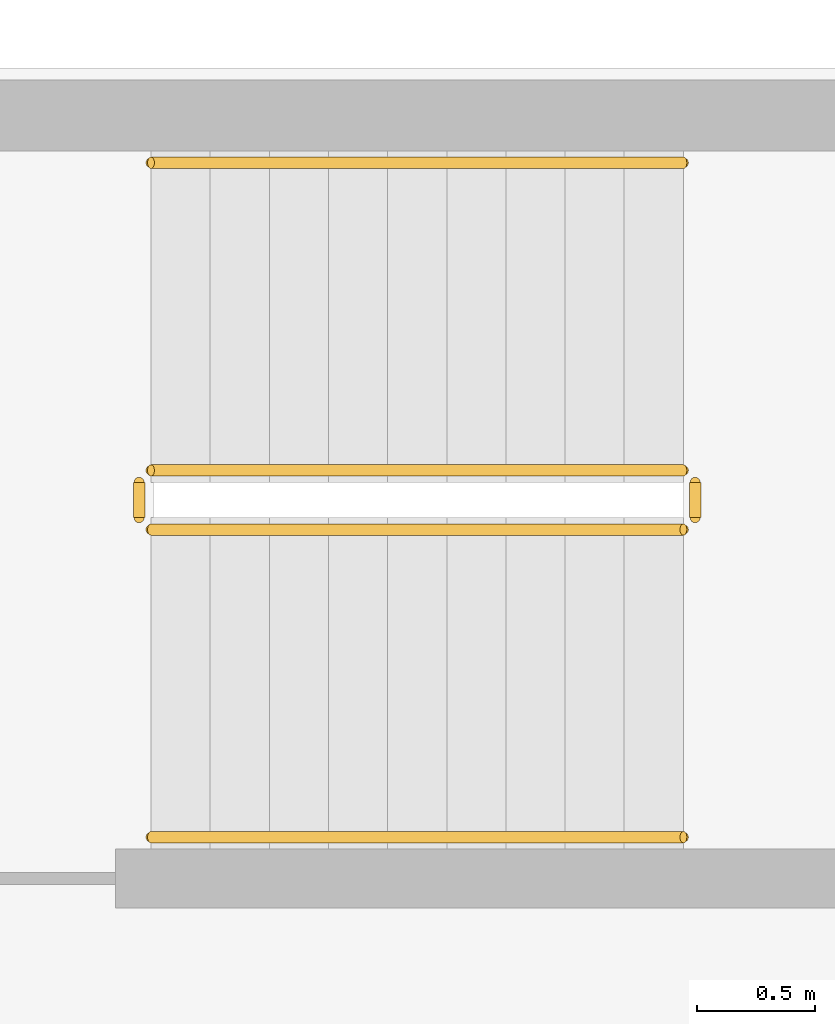
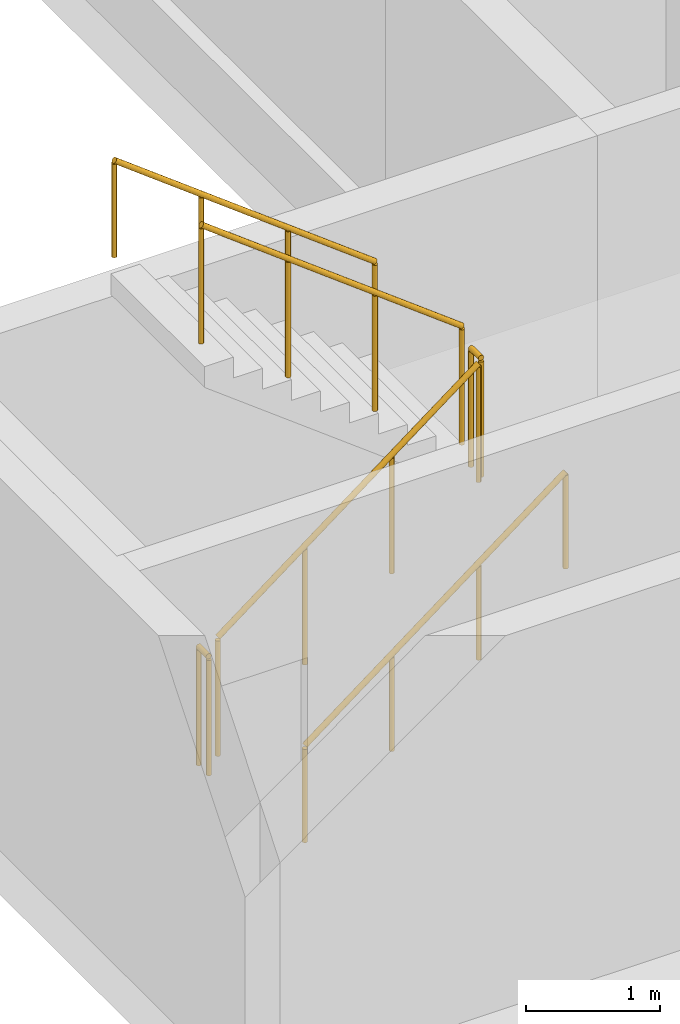
# One storey, part 11 of 11: 6 railings.
"""IFC4 building model written with IfcOpenShell, lengths in metres."""

import ifcopenshell
import ifcopenshell.guid

model = None  # the IFC model being written
_history = None  # IfcOwnerHistory: only IFC2X3 demands one
_inside = {}  # id of a spatial element -> (the spatial element, [elements in it])
_under = {}  # id of a project, library or spatial element -> (it, [spatial elements below it])
_declared = {}  # id of a project -> (the project, [libraries it declares])
_typed = {}  # id of a type object -> (the type object, [elements of that type])
_made_of = {}  # id of a material, layer set ... -> (it, [elements and type objects made of it])


def new_model(schema):
    """Start an empty IFC model of exactly this schema.

    Asked for "IFC4X3", IfcOpenShell would pick the latest addendum, in which some entities
    have other attributes; the version numbers below select the first issue.
    IFC2X3 requires an IfcOwnerHistory on every rooted entity: one is made here for all.
    """
    global model, _history
    if schema == "IFC4X3":
        model = ifcopenshell.file(schema_version=(4, 3, 0, 0))
    else:
        model = ifcopenshell.file(schema=schema)
    _inside.clear()
    _under.clear()
    _declared.clear()
    _typed.clear()
    _made_of.clear()
    _history = None
    if model.schema == "IFC2X3":
        org = make("IfcOrganization", Name="unknown")
        user = make(
            "IfcPersonAndOrganization",
            ThePerson=make("IfcPerson", FamilyName="unknown"),
            TheOrganization=org,
        )
        app = make(
            "IfcApplication",
            ApplicationDeveloper=org,
            Version="unknown",
            ApplicationFullName="unknown",
            ApplicationIdentifier="unknown",
        )
        _history = make(
            "IfcOwnerHistory",
            OwningUser=user,
            OwningApplication=app,
            ChangeAction="ADDED",
            CreationDate=0,
        )
    return model


def make(cls, **values):
    """One entity of the class cls with the attributes given. An attribute that is None is left unset."""
    return model.create_entity(
        cls, **{name: value for name, value in values.items() if value is not None}
    )


def rooted(cls, **values):
    """An entity with a GlobalId (a new one), such as an element, a storey or a relation."""
    return make(cls, GlobalId=ifcopenshell.guid.new(), OwnerHistory=_history, **values)


def si_unit(unit_type, name, prefix=None):
    """IfcSIUnit, for example si_unit("LENGTHUNIT", "METRE", prefix="MILLI")."""
    return make("IfcSIUnit", UnitType=unit_type, Prefix=prefix, Name=name)


def assignment(units):
    """IfcUnitAssignment: the units of a project."""
    return None if units is None else make("IfcUnitAssignment", Units=units)


def point(xyz):
    """IfcCartesianPoint."""
    return None if xyz is None else make("IfcCartesianPoint", Coordinates=xyz)


def direction(xyz):
    """IfcDirection."""
    return None if xyz is None else make("IfcDirection", DirectionRatios=xyz)


def frame(location, z_axis=None, x_axis=None):
    """IfcAxis2Placement3D, a coordinate frame: its origin and axes. An axis left out is left unset."""
    return make(
        "IfcAxis2Placement3D",
        Location=point(location),
        Axis=direction(z_axis),
        RefDirection=direction(x_axis),
    )


def frame_2d(location, x_axis=None):
    """IfcAxis2Placement2D, a coordinate frame in the plane: its origin and x axis."""
    return make(
        "IfcAxis2Placement2D", Location=point(location), RefDirection=direction(x_axis)
    )


def origin():
    """The frame at (0, 0, 0) with its axes left unset."""
    return frame((0.0, 0.0, 0.0))


def origin_2d():
    """The frame at (0, 0) in the plane with its x axis left unset."""
    return frame_2d((0.0, 0.0))


def place(relative_to, where):
    """IfcLocalPlacement: puts the frame where relative to a parent placement (None: the world)."""
    return make(
        "IfcLocalPlacement", PlacementRelTo=relative_to, RelativePlacement=where
    )


def context(
    kind, dimensions, precision=None, world=None, true_north=None, identifier=None
):
    """IfcGeometricRepresentationContext, for example the 3D "Model" context."""
    return make(
        "IfcGeometricRepresentationContext",
        ContextIdentifier=identifier,
        ContextType=kind,
        CoordinateSpaceDimension=dimensions,
        Precision=precision,
        WorldCoordinateSystem=world,
        TrueNorth=true_north,
    )


def subcontext(parent, identifier, kind, view, scale=None):
    """IfcGeometricRepresentationSubContext, for example "Body" below "Model"."""
    return make(
        "IfcGeometricRepresentationSubContext",
        ContextIdentifier=identifier,
        ContextType=kind,
        ParentContext=parent,
        TargetScale=scale,
        TargetView=view,
    )


def project(units=None, contexts=None):
    """IfcProject with its units and contexts."""
    return rooted(
        "IfcProject",
        Name="project",
        RepresentationContexts=contexts,
        UnitsInContext=assignment(units),
    )


def spatial(cls, under=None, at=None, **own):
    """A site, building, storey or space (cls), placed at a placement, below another one or the project."""
    s = rooted(cls, ObjectPlacement=at, **own)
    if under is not None:
        _under.setdefault(under.id(), (under, []))[1].append(s)
    return s


def profile(cls, at=None, kind="AREA", **sizes):
    """A parametric profile (cls). Its sizes go by their IFC names, for example OverallWidth=200.0."""
    return make(cls, ProfileType=kind, Position=at, **sizes)


def circle(**sizes):
    """IfcCircleProfileDef."""
    return profile("IfcCircleProfileDef", **sizes)


def extrude(swept, where, along, depth):
    """IfcExtrudedAreaSolid: the profile swept, set in the frame where, extruded along a direction by depth."""
    return make(
        "IfcExtrudedAreaSolid",
        SweptArea=swept,
        Position=where,
        ExtrudedDirection=direction(along),
        Depth=depth,
    )


def shape(context_of_items, identifier, shape_type, items):
    """IfcShapeRepresentation: the items that make up one representation, for example the "Body"."""
    return make(
        "IfcShapeRepresentation",
        ContextOfItems=context_of_items,
        RepresentationIdentifier=identifier,
        RepresentationType=shape_type,
        Items=items,
    )


def source(mapping_origin, context_of_items, identifier, shape_type, items):
    """IfcRepresentationMap: a shape defined once, which mapped items show again and again."""
    return make(
        "IfcRepresentationMap",
        MappingOrigin=mapping_origin,
        MappedRepresentation=shape(context_of_items, identifier, shape_type, items),
    )


def transform(
    local_origin,
    x_axis=None,
    y_axis=None,
    z_axis=None,
    scale=None,
    scale2=None,
    scale3=None,
    uniform=True,
):
    """IfcCartesianTransformationOperator3D, or its non-uniform kind. x_axis, y_axis, z_axis: its Axis1, 2, 3."""
    if uniform:
        return make(
            "IfcCartesianTransformationOperator3D",
            Axis1=direction(x_axis),
            Axis2=direction(y_axis),
            LocalOrigin=point(local_origin),
            Scale=scale,
            Axis3=direction(z_axis),
        )
    return make(
        "IfcCartesianTransformationOperator3DnonUniform",
        Axis1=direction(x_axis),
        Axis2=direction(y_axis),
        LocalOrigin=point(local_origin),
        Scale=scale,
        Axis3=direction(z_axis),
        Scale2=scale2,
        Scale3=scale3,
    )


def mapped(mapping_source, mapping_target):
    """IfcMappedItem: shows the shape of a source again, moved by a transform."""
    return make(
        "IfcMappedItem", MappingSource=mapping_source, MappingTarget=mapping_target
    )


def material(Name=None, Category=None):
    """IfcMaterial."""
    return make("IfcMaterial", Name=Name, Category=Category)


def made_of(thing, what):
    """Note that an element or type object is made of a material, layer set ...; save() writes the relation."""
    if what is not None:
        _made_of.setdefault(what.id(), (what, []))[1].append(thing)
    return thing


def type_object(cls, material=None, **own):
    """A type object (cls), such as IfcWallType, which elements share."""
    return made_of(rooted(cls, **own), material)


def element(
    cls,
    number,
    at=None,
    inside=None,
    cuts=None,
    type_object=None,
    material=None,
    context=None,
    identifier="Body",
    shape_type=None,
    held_by="IfcProductDefinitionShape",
    body=None,
    shapes=None,
    **own,
):
    """One element of the class cls, such as IfcWall. Its Tag is "e" and its number.

    at: its placement. inside: the storey or other place that contains it. cuts: it is an
    opening in that element (IfcRelVoidsElement). A single representation is given by context,
    identifier, shape_type and body (its items); several are given by shapes. held_by: the class
    of the entity that holds the representations. save() writes the other relations.
    """
    e = rooted(cls, Tag="e%d" % number, ObjectPlacement=at, **own)
    if body is not None:
        shapes = [shape(context, identifier, shape_type, body)]
    if shapes is not None:
        e.Representation = make(held_by, Representations=shapes)
    if inside is not None:
        _inside.setdefault(inside.id(), (inside, []))[1].append(e)
    if cuts is not None:
        rooted(
            "IfcRelVoidsElement", RelatingBuildingElement=cuts, RelatedOpeningElement=e
        )
    if type_object is not None:
        _typed.setdefault(type_object.id(), (type_object, []))[1].append(e)
    return made_of(e, material)


def aggregate(whole, parts):
    """IfcRelAggregates: a whole, such as a stair, and the parts it consists of."""
    return rooted("IfcRelAggregates", RelatingObject=whole, RelatedObjects=parts)


def save(model, path):
    """Write the relations noted so far, then the file.

    IfcRelAggregates (storeys below a building ...), IfcRelContainedInSpatialStructure (elements
    in a storey), IfcRelDefinesByType, IfcRelAssociatesMaterial and IfcRelDeclares: one each for
    every whole, place, type object, material and project.
    """
    for whole, parts in _under.values():
        aggregate(whole, parts)
    for where, things in _inside.values():
        rooted(
            "IfcRelContainedInSpatialStructure",
            RelatedElements=things,
            RelatingStructure=where,
        )
    for kind, things in _typed.values():
        rooted("IfcRelDefinesByType", RelatedObjects=things, RelatingType=kind)
    for what, things in _made_of.values():
        rooted("IfcRelAssociatesMaterial", RelatedObjects=things, RelatingMaterial=what)
    for by, libraries in _declared.values():
        rooted("IfcRelDeclares", RelatingContext=by, RelatedDefinitions=libraries)
    model.write(path)


model = new_model("IFC4")

# Units and contexts
model_context = context("Model", 3, precision=1e-05, world=origin(), true_north=direction((0.0, 1.0)))
body_context = subcontext(model_context, "Body", "Model", "MODEL_VIEW")
ifc_project = project(units=[si_unit("LENGTHUNIT", "METRE"), si_unit("AREAUNIT", "SQUARE_METRE"), si_unit("VOLUMEUNIT", "CUBIC_METRE"), si_unit("PLANEANGLEUNIT", "RADIAN"), si_unit("MASSUNIT", "GRAM", prefix="KILO")], contexts=[model_context])

# Site, building, storey
site_placement = place(None, origin())
site = spatial("IfcSite", under=ifc_project, at=site_placement, CompositionType="ELEMENT")
building_placement = place(site_placement, origin())
building = spatial("IfcBuilding", under=site, at=building_placement, Name="Aurelian Terraces", CompositionType="ELEMENT")
storey_placement = place(building_placement, frame((0.0, 0.0, 212.0)))
storey = spatial("IfcBuildingStorey", under=building, at=storey_placement, Name="L47", CompositionType="ELEMENT", Elevation=212.0)

# Railings
ifc_material = material(Name="Stainless steel", Category="steel")
railing_type_1 = type_object("IfcRailingType", Name="Stair guard 1100", PredefinedType="GUARDRAIL", material=ifc_material)
shared_shape_1 = source(origin(), body_context, "Body", "SweptSolid", [
    extrude(circle(Radius=0.024, at=origin_2d()), frame((0.0, 0.0, 1.076), z_axis=(0.0, 1.0, 0.0), x_axis=(-1.0, 0.0, 0.0)), (0.0, 0.0, 1.0), 0.15),
    extrude(circle(Radius=0.021, at=origin_2d()), origin(), (0.0, 0.0, 1.0), 1.052),
    extrude(circle(Radius=0.021, at=origin_2d()), frame((0.0, 0.15, 0.0)), (0.0, 0.0, 1.0), 1.052),
])
for number, where, name in (
    (1, (4.4, 42.05, 1.9), "L47 S3 stair guard 2"),
    (2, (2.05, 42.05, 0.0), "L47 S3 stair guard 4"),
):
    element("IfcRailing", number, at=place(storey_placement, frame(where)), inside=storey, type_object=railing_type_1, Name=name, PredefinedType="GUARDRAIL", context=body_context, shape_type="MappedRepresentation", body=[
        mapped(shared_shape_1, transform((0.0, 0.0, 0.0), scale=1.0)),
    ])
shared_shape_2 = source(origin(), body_context, "Body", "SweptSolid", [
    extrude(circle(Radius=0.024, at=origin_2d()), frame((0.0, 0.0, 1.076), z_axis=(0.796162194123, 0.0, 0.605083267534), x_axis=(0.0, 1.0, 0.0)), (0.0, 0.0, 1.0), 2.8261),
    extrude(circle(Radius=0.021, at=origin_2d()), origin(), (0.0, 0.0, 1.0), 1.052),
    extrude(circle(Radius=0.021, at=origin_2d()), frame((0.75, 0.0, 0.57)), (0.0, 0.0, 1.0), 1.052),
    extrude(circle(Radius=0.021, at=origin_2d()), frame((1.5, 0.0, 1.14)), (0.0, 0.0, 1.0), 1.052),
    extrude(circle(Radius=0.021, at=origin_2d()), frame((2.25, 0.0, 1.71)), (0.0, 0.0, 1.0), 1.052),
])
railing_1_placement = place(storey_placement, frame((2.1, 42.0, 0.19)))
element("IfcRailing", 3, at=railing_1_placement, inside=storey, type_object=railing_type_1, Name="L47 S3 stair guard 1", PredefinedType="GUARDRAIL", context=body_context, shape_type="MappedRepresentation", body=[
    mapped(shared_shape_2, transform((0.0, 0.0, 0.0), scale=1.0)),
])
shared_shape_3 = source(origin(), body_context, "Body", "SweptSolid", [
    extrude(circle(Radius=0.024, at=origin_2d()), frame((0.0, 0.0, 1.076), z_axis=(-0.796162194123, 0.0, 0.605083267534), x_axis=(0.0, -1.0, 0.0)), (0.0, 0.0, 1.0), 2.8261),
    extrude(circle(Radius=0.021, at=origin_2d()), origin(), (0.0, 0.0, 1.0), 1.052),
    extrude(circle(Radius=0.021, at=origin_2d()), frame((-0.75, 0.0, 0.57)), (0.0, 0.0, 1.0), 1.052),
    extrude(circle(Radius=0.021, at=origin_2d()), frame((-1.5, 0.0, 1.14)), (0.0, 0.0, 1.0), 1.052),
    extrude(circle(Radius=0.021, at=origin_2d()), frame((-2.25, 0.0, 1.71)), (0.0, 0.0, 1.0), 1.052),
])
railing_2_placement = place(storey_placement, frame((4.35, 42.25, 2.09)))
element("IfcRailing", 4, at=railing_2_placement, inside=storey, type_object=railing_type_1, Name="L47 S3 stair guard 3", PredefinedType="GUARDRAIL", context=body_context, shape_type="MappedRepresentation", body=[
    mapped(shared_shape_3, transform((0.0, 0.0, 0.0), scale=1.0)),
])
railing_type_2 = type_object("IfcRailingType", Name="Stair handrail", PredefinedType="HANDRAIL", material=ifc_material)
shared_shape_4 = source(origin(), body_context, "Body", "SweptSolid", [
    extrude(circle(Radius=0.024, at=origin_2d()), frame((0.0, 0.0, 0.876), z_axis=(0.796162194123, 0.0, 0.605083267534), x_axis=(0.0, 1.0, 0.0)), (0.0, 0.0, 1.0), 2.8261),
    extrude(circle(Radius=0.021, at=origin_2d()), origin(), (0.0, 0.0, 1.0), 0.852),
    extrude(circle(Radius=0.021, at=origin_2d()), frame((0.75, 0.0, 0.57)), (0.0, 0.0, 1.0), 0.852),
    extrude(circle(Radius=0.021, at=origin_2d()), frame((1.5, 0.0, 1.14)), (0.0, 0.0, 1.0), 0.852),
    extrude(circle(Radius=0.021, at=origin_2d()), frame((2.25, 0.0, 1.71)), (0.0, 0.0, 1.0), 0.852),
])
railing_3_placement = place(storey_placement, frame((2.1, 40.7, 0.19)))
element("IfcRailing", 5, at=railing_3_placement, inside=storey, type_object=railing_type_2, Name="L47 S3 stair handrail 1", PredefinedType="HANDRAIL", context=body_context, shape_type="MappedRepresentation", body=[
    mapped(shared_shape_4, transform((0.0, 0.0, 0.0), scale=1.0)),
])
shared_shape_5 = source(origin(), body_context, "Body", "SweptSolid", [
    extrude(circle(Radius=0.024, at=origin_2d()), frame((0.0, 0.0, 0.876), z_axis=(-0.796162194123, 0.0, 0.605083267534), x_axis=(0.0, -1.0, 0.0)), (0.0, 0.0, 1.0), 2.8261),
    extrude(circle(Radius=0.021, at=origin_2d()), origin(), (0.0, 0.0, 1.0), 0.852),
    extrude(circle(Radius=0.021, at=origin_2d()), frame((-0.75, 0.0, 0.57)), (0.0, 0.0, 1.0), 0.852),
    extrude(circle(Radius=0.021, at=origin_2d()), frame((-1.5, 0.0, 1.14)), (0.0, 0.0, 1.0), 0.852),
    extrude(circle(Radius=0.021, at=origin_2d()), frame((-2.25, 0.0, 1.71)), (0.0, 0.0, 1.0), 0.852),
])
railing_4_placement = place(storey_placement, frame((4.35, 43.55, 2.09)))
element("IfcRailing", 6, at=railing_4_placement, inside=storey, type_object=railing_type_2, Name="L47 S3 stair handrail 2", PredefinedType="HANDRAIL", context=body_context, shape_type="MappedRepresentation", body=[
    mapped(shared_shape_5, transform((0.0, 0.0, 0.0), scale=1.0)),
])

save(model, "model.ifc")
